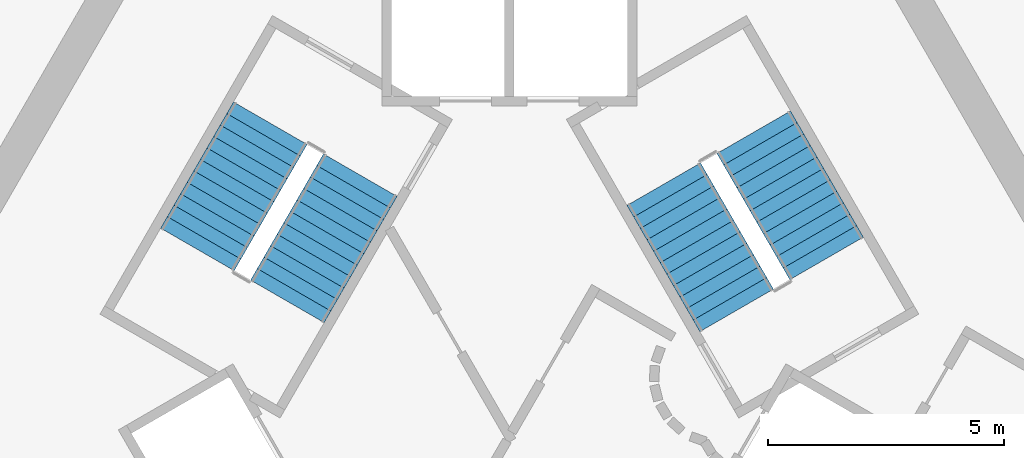
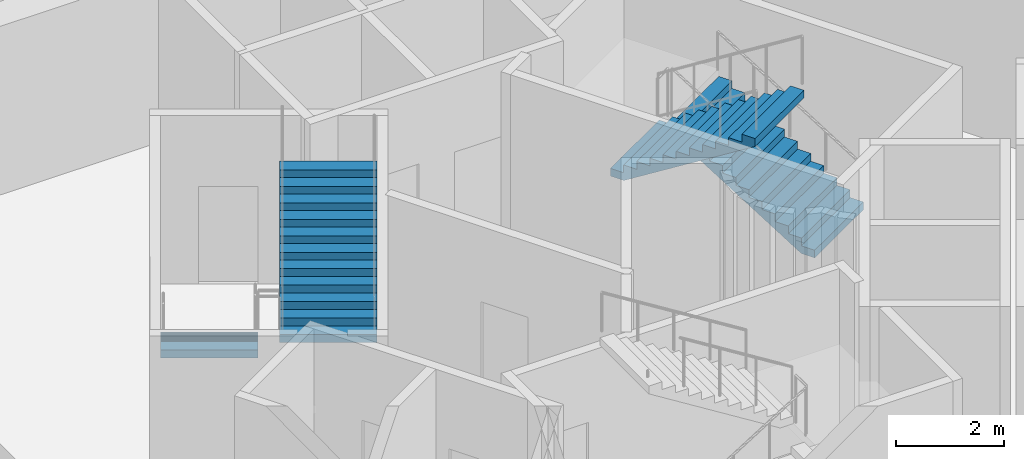
# One storey, part 10 of 13: 4 stair flights, 2 elements without a shape of their own.
"""IFC4 building model written with IfcOpenShell, lengths in metres."""

from ifc_helpers import new_model, si_unit, direction, frame, origin, place, context, subcontext, project, spatial, polyline, outline, extrude, material, type_object, element, aggregate, save


model = new_model("IFC4")

# Units and contexts
model_context = context("Model", 3, precision=1e-05, world=origin(), true_north=direction((0.0, 1.0)))
body_context = subcontext(model_context, "Body", "Model", "MODEL_VIEW")
ifc_project = project(units=[si_unit("LENGTHUNIT", "METRE"), si_unit("AREAUNIT", "SQUARE_METRE"), si_unit("VOLUMEUNIT", "CUBIC_METRE"), si_unit("PLANEANGLEUNIT", "RADIAN"), si_unit("MASSUNIT", "GRAM", prefix="KILO")], contexts=[model_context])

# Site, building, storey
site_placement = place(None, origin())
site = spatial("IfcSite", under=ifc_project, at=site_placement, CompositionType="ELEMENT")
building_placement = place(site_placement, origin())
building = spatial("IfcBuilding", under=site, at=building_placement, Name="Entoto Arch Interchange Tower", CompositionType="ELEMENT")
storey_placement = place(building_placement, frame((0.0, 0.0, 198.199951171875)))
storey = spatial("IfcBuildingStorey", under=building, at=storey_placement, Name="L44", CompositionType="ELEMENT", Elevation=198.199951171875)

# Stair, stair flights
ifc_material = material(Name="Concrete C40/50", Category="concrete")
stair_type = type_object("IfcStairType", Name="EXIT STAIR RC 1800", PredefinedType="HALF_TURN_STAIR", material=ifc_material)
stair_1_placement = place(storey_placement, origin())
stair_1 = element("IfcStair", 1, at=stair_1_placement, inside=storey, type_object=stair_type, Name="L44 Exit stair NE", PredefinedType="HALF_TURN_STAIR")
stair_flight_type = type_object("IfcStairFlightType", Name="EXIT STAIR FLIGHT RC 1800", PredefinedType="STRAIGHT", material=ifc_material)
stair_flight_1_placement = place(storey_placement, frame((6.7138671875, 4.470947265625, 0.0), z_axis=(0.0, 0.0, 1.0), x_axis=(-0.5, 0.866025403784, 0.0)))
stair_flight_1 = element("IfcStairFlight", 2, at=stair_flight_1_placement, type_object=stair_flight_type, Name="ST-NE flight 1", NumberOfRisers=12, NumberOfTreads=11, PredefinedType="STRAIGHT", RiserHeight=0.175, TreadLength=0.28, context=body_context, shape_type="SweptSolid", body=[
    extrude(outline(polyline([(-0.0029296875, 0.0), (-0.0029296875, 0.175048828125), (0.280029296875, 0.175048828125), (0.280029296875, 0.35009765625), (0.56005859375, 0.35009765625), (0.56005859375, 0.52490234375), (0.840087890625, 0.52490234375), (0.840087890625, 0.699951171875), (1.1201171875, 0.699951171875), (1.1201171875, 0.875), (1.39990234375, 0.875), (1.39990234375, 1.050048828125), (1.679931640625, 1.050048828125), (1.679931640625, 1.22509765625), (1.9599609375, 1.22509765625), (1.9599609375, 1.39990234375), (2.239990234375, 1.39990234375), (2.239990234375, 1.574951171875), (2.52001953125, 1.574951171875), (2.52001953125, 1.75), (2.800048828125, 1.75), (2.800048828125, 1.925048828125), (3.080078125, 1.925048828125), (3.0830078125, 1.925048828125), (3.0830078125, 1.75), (0.28271484375, 0.0), (-0.0029296875, 0.0)])), frame((0.0, 0.89990234375, 0.0), z_axis=(0.0, -1.0, 0.0), x_axis=(1.0, 0.0, 0.0)), (0.0, 0.0, 1.0), 1.800048828125),
])
stair_flight_2_placement = place(storey_placement, frame((3.268798828125, 6.038330078125, 2.10009765625), z_axis=(0.0, 0.0, 1.0), x_axis=(0.5, -0.866025403784, 0.0)))
stair_flight_2 = element("IfcStairFlight", 3, at=stair_flight_2_placement, type_object=stair_flight_type, Name="ST-NE flight 2", NumberOfRisers=12, NumberOfTreads=11, PredefinedType="STRAIGHT", RiserHeight=0.175, TreadLength=0.28, context=body_context, shape_type="SweptSolid", body=[
    extrude(outline(polyline([(-0.0029296875, 0.0), (-0.0029296875, 0.175048828125), (0.280029296875, 0.175048828125), (0.280029296875, 0.35009765625), (0.56005859375, 0.35009765625), (0.56005859375, 0.52490234375), (0.840087890625, 0.52490234375), (0.840087890625, 0.699951171875), (1.1201171875, 0.699951171875), (1.1201171875, 0.875), (1.39990234375, 0.875), (1.39990234375, 1.050048828125), (1.679931640625, 1.050048828125), (1.679931640625, 1.22509765625), (1.9599609375, 1.22509765625), (1.9599609375, 1.39990234375), (2.239990234375, 1.39990234375), (2.239990234375, 1.574951171875), (2.52001953125, 1.574951171875), (2.52001953125, 1.75), (2.800048828125, 1.75), (2.800048828125, 1.925048828125), (3.080078125, 1.925048828125), (3.0830078125, 1.925048828125), (3.0830078125, 1.75), (0.28271484375, 0.0), (-0.0029296875, 0.0)])), frame((0.0, 0.89990234375, 0.0), z_axis=(0.0, -1.0, 0.0), x_axis=(1.0, 0.0, 0.0)), (0.0, 0.0, 1.0), 1.800048828125),
])
aggregate(stair_1, [stair_flight_1, stair_flight_2])

stair_2_placement = place(storey_placement, origin())
stair_2 = element("IfcStair", 4, at=stair_2_placement, inside=storey, type_object=stair_type, Name="L44 Exit stair NW", PredefinedType="HALF_TURN_STAIR")
stair_flight_3_placement = place(storey_placement, frame((-5.06396484375, 7.328857421875, 0.0), z_axis=(0.0, 0.0, 1.0), x_axis=(-0.5, -0.866025403784, 0.0)))
stair_flight_3 = element("IfcStairFlight", 5, at=stair_flight_3_placement, type_object=stair_flight_type, Name="ST-NW flight 1", NumberOfRisers=12, NumberOfTreads=11, PredefinedType="STRAIGHT", RiserHeight=0.175, TreadLength=0.28, context=body_context, shape_type="SweptSolid", body=[
    extrude(outline(polyline([(-0.0029296875, 0.0), (-0.0029296875, 0.175048828125), (0.280029296875, 0.175048828125), (0.280029296875, 0.35009765625), (0.56005859375, 0.35009765625), (0.56005859375, 0.52490234375), (0.840087890625, 0.52490234375), (0.840087890625, 0.699951171875), (1.1201171875, 0.699951171875), (1.1201171875, 0.875), (1.39990234375, 0.875), (1.39990234375, 1.050048828125), (1.679931640625, 1.050048828125), (1.679931640625, 1.22509765625), (1.9599609375, 1.22509765625), (1.9599609375, 1.39990234375), (2.239990234375, 1.39990234375), (2.239990234375, 1.574951171875), (2.52001953125, 1.574951171875), (2.52001953125, 1.75), (2.800048828125, 1.75), (2.800048828125, 1.925048828125), (3.080078125, 1.925048828125), (3.0830078125, 1.925048828125), (3.0830078125, 1.75), (0.28271484375, 0.0), (-0.0029296875, 0.0)])), frame((0.0, 0.89990234375, 0.0), z_axis=(0.0, -1.0, 0.0), x_axis=(1.0, 0.0, 0.0)), (0.0, 0.0, 1.0), 1.800048828125),
])
stair_flight_4_placement = place(storey_placement, frame((-4.69873046875, 3.5615234375, 2.10009765625), z_axis=(0.0, 0.0, 1.0), x_axis=(0.5, 0.866025403784, 0.0)))
stair_flight_4 = element("IfcStairFlight", 6, at=stair_flight_4_placement, type_object=stair_flight_type, Name="ST-NW flight 2", NumberOfRisers=12, NumberOfTreads=11, PredefinedType="STRAIGHT", RiserHeight=0.175, TreadLength=0.28, context=body_context, shape_type="SweptSolid", body=[
    extrude(outline(polyline([(-0.0029296875, 0.0), (-0.0029296875, 0.175048828125), (0.280029296875, 0.175048828125), (0.280029296875, 0.35009765625), (0.56005859375, 0.35009765625), (0.56005859375, 0.52490234375), (0.840087890625, 0.52490234375), (0.840087890625, 0.699951171875), (1.1201171875, 0.699951171875), (1.1201171875, 0.875), (1.39990234375, 0.875), (1.39990234375, 1.050048828125), (1.679931640625, 1.050048828125), (1.679931640625, 1.22509765625), (1.9599609375, 1.22509765625), (1.9599609375, 1.39990234375), (2.239990234375, 1.39990234375), (2.239990234375, 1.574951171875), (2.52001953125, 1.574951171875), (2.52001953125, 1.75), (2.800048828125, 1.75), (2.800048828125, 1.925048828125), (3.080078125, 1.925048828125), (3.0830078125, 1.925048828125), (3.0830078125, 1.75), (0.28271484375, 0.0), (-0.0029296875, 0.0)])), frame((0.0, 0.89990234375, 0.0), z_axis=(0.0, -1.0, 0.0), x_axis=(1.0, 0.0, 0.0)), (0.0, 0.0, 1.0), 1.800048828125),
])
aggregate(stair_2, [stair_flight_3, stair_flight_4])

save(model, "model.ifc")
